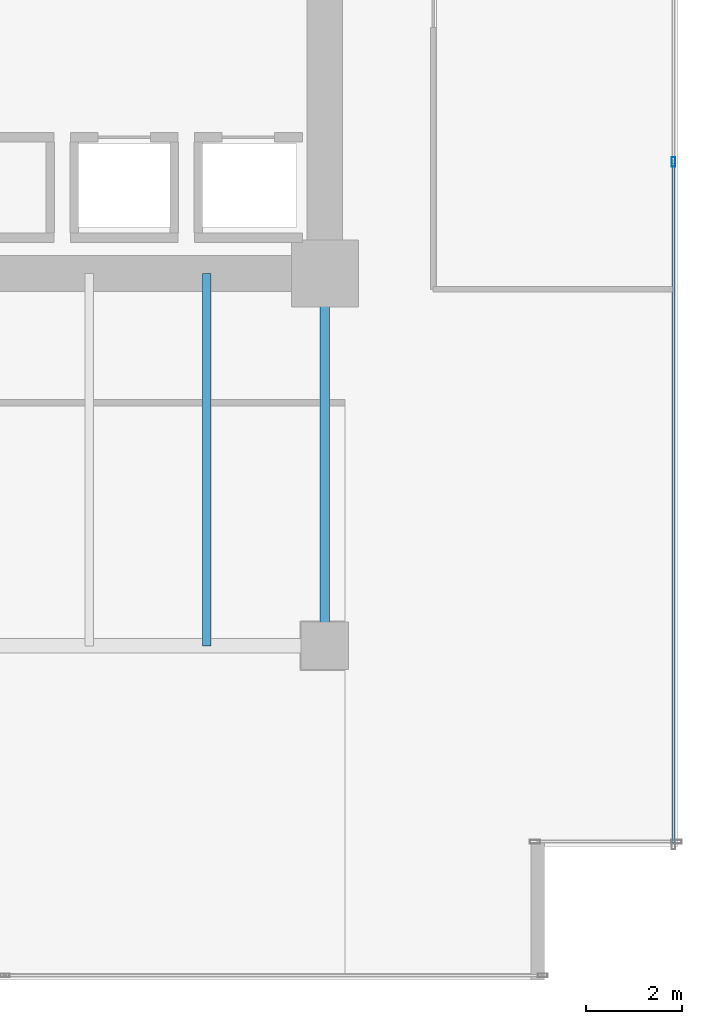
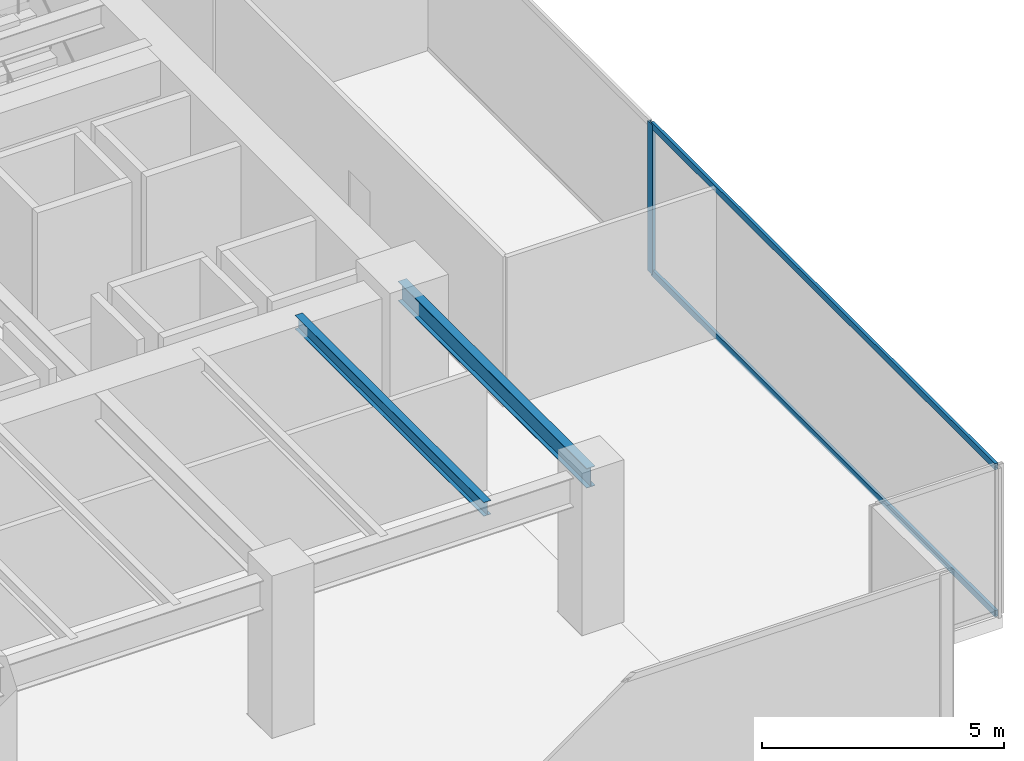
# One storey, part 24 of 36: 3 members, 2 beams, 1 element without a shape of its own.
"""IFC4 building model written with IfcOpenShell, lengths in metres."""

from ifc_helpers import new_model, si_unit, direction, frame, origin, origin_2d, place, context, subcontext, project, spatial, hollow_rectangle, i_section, extrude, source, transform, mapped, material, layer, layer_set, material_profile, profile_set, type_object, type_shapes, element, aggregate, save


model = new_model("IFC4")

# Units and contexts
model_context = context("Model", 3, precision=1e-05, world=origin(), true_north=direction((0.0, 1.0)))
body_context = subcontext(model_context, "Body", "Model", "MODEL_VIEW")
ifc_project = project(units=[si_unit("LENGTHUNIT", "METRE"), si_unit("AREAUNIT", "SQUARE_METRE"), si_unit("VOLUMEUNIT", "CUBIC_METRE"), si_unit("PLANEANGLEUNIT", "RADIAN"), si_unit("MASSUNIT", "GRAM", prefix="KILO")], contexts=[model_context])

# Site, building, storey
site_placement = place(None, origin())
site = spatial("IfcSite", under=ifc_project, at=site_placement, CompositionType="ELEMENT")
building_placement = place(site_placement, origin())
building = spatial("IfcBuilding", under=site, at=building_placement, Name="Haelvirn Gate Laboratories", CompositionType="ELEMENT")
storey_placement = place(building_placement, frame((0.0, 0.0, 49.800048828125)))
storey = spatial("IfcBuildingStorey", under=building, at=storey_placement, Name="L12", CompositionType="ELEMENT", Elevation=49.800048828125)

# Beams
ifc_material_1 = material(Name="Steel SM355", Category="steel")
ifc_material_profile_1 = material_profile(ifc_material_1, i_section(OverallWidth=0.199951171875, OverallDepth=0.5, WebThickness=0.010009765625, FlangeThickness=0.01611328125, at=origin_2d()), Name="H-500x200x10x16")
ifc_profile_set_1 = profile_set([ifc_material_profile_1], Name="Steel SM355")
beam_type_1 = type_object("IfcBeamType", Name="BM-SP-500", PredefinedType="SPANDREL", material=ifc_profile_set_1)
shared_shape_1 = source(origin(), body_context, "Body", "SweptSolid", [
    extrude(i_section(OverallWidth=0.199951171875, OverallDepth=0.5, WebThickness=0.010009765625, FlangeThickness=0.01611328125, at=origin_2d()), origin(), (0.0, 0.0, 1.0), 7.800048828125),
])
type_shapes(beam_type_1, [shared_shape_1])
beam_1_placement = place(storey_placement, frame((67.39990234375, 7.0, 3.530029296875), z_axis=(0.0, 1.0, 0.0), x_axis=(-1.0, 0.0, 0.0)))
element("IfcBeam", 1, at=beam_1_placement, inside=storey, type_object=beam_type_1, Name="L12 Perimeter Spandrel X67.4 (7.0-14.8)", PredefinedType="SPANDREL", context=body_context, shape_type="MappedRepresentation", body=[
    mapped(shared_shape_1, transform((0.0, 0.0, 0.0), scale=1.0)),
])
ifc_material_profile_2 = material_profile(ifc_material_1, i_section(OverallWidth=0.175048828125, OverallDepth=0.35009765625, WebThickness=0.007080078125, FlangeThickness=0.010986328125, at=origin_2d()), Name="H-350x175x7x11")
ifc_profile_set_2 = profile_set([ifc_material_profile_2], Name="Steel SM355")
beam_type_2 = type_object("IfcBeamType", Name="BM-J-350", PredefinedType="JOIST", material=ifc_profile_set_2)
shared_shape_2 = source(origin(), body_context, "Body", "SweptSolid", [
    extrude(i_section(OverallWidth=0.175048828125, OverallDepth=0.35009765625, WebThickness=0.007080078125, FlangeThickness=0.010986328125, at=origin_2d()), origin(), (0.0, 0.0, 1.0), 7.800048828125),
])
type_shapes(beam_type_2, [shared_shape_2])
beam_2_placement = place(storey_placement, frame((64.929931640625, 7.0, 3.60498046875), z_axis=(0.0, 1.0, 0.0), x_axis=(-1.0, 0.0, 0.0)))
element("IfcBeam", 2, at=beam_2_placement, inside=storey, type_object=beam_type_2, Name="L12 Composite Lab Joist South X64.93", PredefinedType="JOIST", context=body_context, shape_type="MappedRepresentation", body=[
    mapped(shared_shape_2, transform((0.0, 0.0, 0.0), scale=1.0)),
])

# Curtain wall, members
ifc_material_2 = material(Name="Anodised bronze unitised aluminium & triple low-E glass", Category="aluminium")
ifc_layer = layer(ifc_material_2, 0.18408203125, Name="CW-SYS-2")
ifc_layer_set = layer_set([ifc_layer], Name="Anodised bronze unitised aluminium & triple low-E glass")
curtain_wall_type = type_object("IfcCurtainWallType", Name="CW-SYS-2", PredefinedType="NOTDEFINED", material=ifc_layer_set)
curtain_wall_placement = place(storey_placement, origin())
curtain_wall = element("IfcCurtainWall", 3, at=curtain_wall_placement, inside=storey, type_object=curtain_wall_type, Name="L12 Unitised Curtain Wall CW-L12-P0-E07", PredefinedType="NOTDEFINED")
ifc_material_3 = material(Name="Extruded aluminium 6063-T6 (anodised bronze)", Category="aluminium")
ifc_material_profile_3 = material_profile(ifc_material_3, hollow_rectangle(XDim=0.074951171875, YDim=0.199951171875, WallThickness=0.0048828125, at=origin_2d()), Name="CWM-200x75x5")
ifc_profile_set_3 = profile_set([ifc_material_profile_3], Name="Extruded aluminium 6063-T6 (anodised bronze)")
member_type_1 = type_object("IfcMemberType", Name="CWM-T200", PredefinedType="MULLION", material=ifc_profile_set_3)
shared_shape_3 = source(origin(), body_context, "Body", "SweptSolid", [
    extrude(hollow_rectangle(XDim=0.074951171875, YDim=0.199951171875, WallThickness=0.0048828125, at=origin_2d()), origin(), (0.0, 0.0, 1.0), 3.780029296875),
])
type_shapes(member_type_1, [shared_shape_3])
member_1_placement = place(storey_placement, frame((74.699951171875, 17.13330078125, 0.0), z_axis=(0.0, 0.0, 1.0), x_axis=(-1.0, 0.0, 0.0)))
member_1 = element("IfcMember", 4, at=member_1_placement, type_object=member_type_1, Name="CW2 mullion 2", PredefinedType="MULLION", context=body_context, shape_type="MappedRepresentation", body=[
    mapped(shared_shape_3, transform((0.0, 0.0, 0.0), scale=1.0)),
])
ifc_material_profile_4 = material_profile(ifc_material_3, hollow_rectangle(XDim=0.070068359375, YDim=0.159912109375, WallThickness=0.0048828125, at=origin_2d()), Name="CWT-160x70x5")
ifc_profile_set_4 = profile_set([ifc_material_profile_4], Name="Extruded aluminium 6063-T6 (anodised bronze)")
member_type_2 = type_object("IfcMemberType", Name="CWT-T160", PredefinedType="USERDEFINED", material=ifc_profile_set_4)
shared_shape_4 = source(origin(), body_context, "Body", "SweptSolid", [
    extrude(hollow_rectangle(XDim=0.070068359375, YDim=0.159912109375, WallThickness=0.0048828125, at=origin_2d()), origin(), (0.0, 0.0, 1.0), 14.220947265625),
])
type_shapes(member_type_2, [shared_shape_4])
member_2_placement = place(storey_placement, frame((74.699951171875, 2.875, 0.034912109375), z_axis=(0.0, 1.0, 0.0), x_axis=(-1.0, 0.0, 0.0)))
member_2 = element("IfcMember", 5, at=member_2_placement, type_object=member_type_2, Name="CW2 transom 1.1", ObjectType="TRANSOM", PredefinedType="USERDEFINED", context=body_context, shape_type="MappedRepresentation", body=[
    mapped(shared_shape_4, transform((0.0, 0.0, 0.0), scale=1.0)),
])
member_3_placement = place(storey_placement, frame((74.699951171875, 2.875, 3.744873046875), z_axis=(0.0, 1.0, 0.0), x_axis=(-1.0, 0.0, 0.0)))
member_3 = element("IfcMember", 6, at=member_3_placement, type_object=member_type_2, Name="CW2 transom 1.2", ObjectType="TRANSOM", PredefinedType="USERDEFINED", context=body_context, shape_type="MappedRepresentation", body=[
    mapped(shared_shape_4, transform((0.0, 0.0, 0.0), scale=1.0)),
])
aggregate(curtain_wall, [member_1, member_2, member_3])

save(model, "model.ifc")
